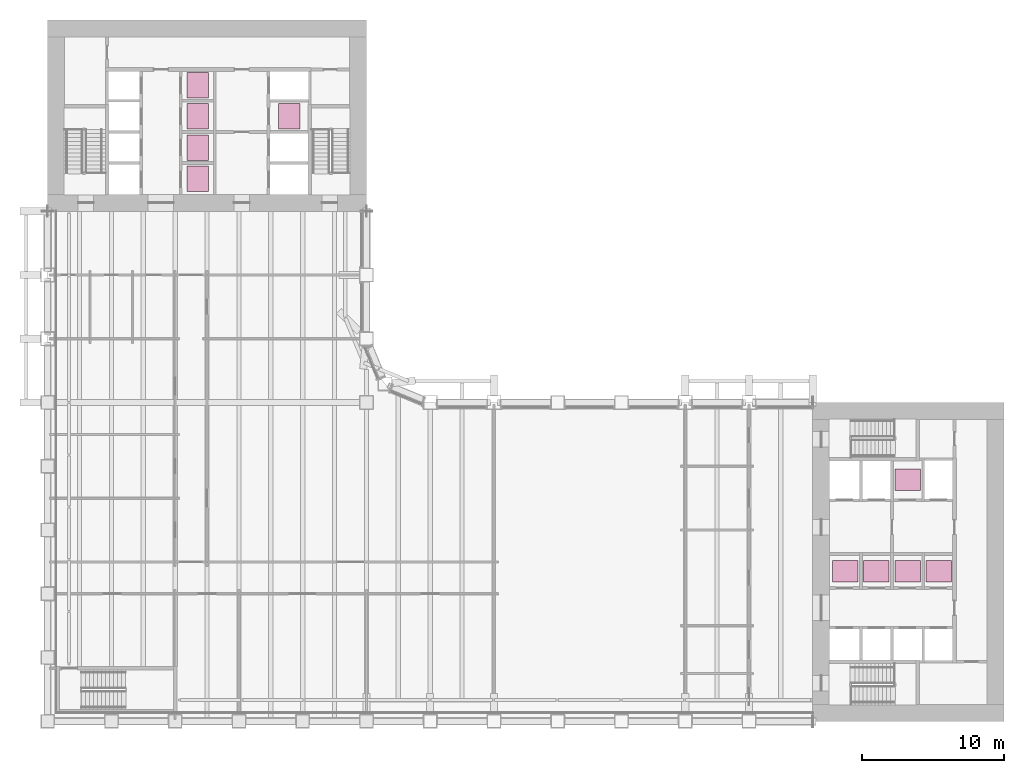
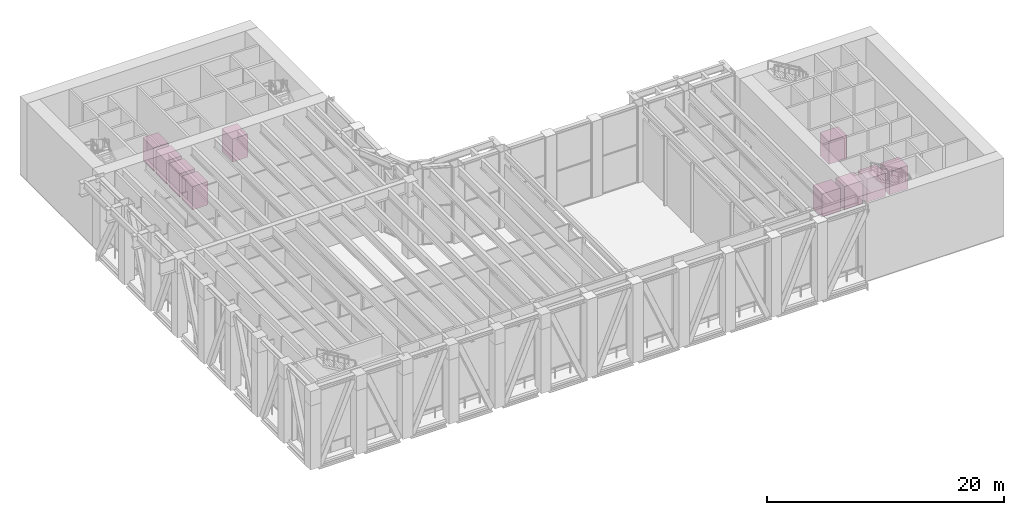
# One storey, part 21 of 21: 10 transport elements.
"""IFC4 building model written with IfcOpenShell, lengths in metres."""

import ifcopenshell
import ifcopenshell.guid

model = None  # the IFC model being written
_history = None  # IfcOwnerHistory: only IFC2X3 demands one
_inside = {}  # id of a spatial element -> (the spatial element, [elements in it])
_under = {}  # id of a project, library or spatial element -> (it, [spatial elements below it])
_declared = {}  # id of a project -> (the project, [libraries it declares])
_typed = {}  # id of a type object -> (the type object, [elements of that type])
_made_of = {}  # id of a material, layer set ... -> (it, [elements and type objects made of it])


def new_model(schema):
    """Start an empty IFC model of exactly this schema.

    Asked for "IFC4X3", IfcOpenShell would pick the latest addendum, in which some entities
    have other attributes; the version numbers below select the first issue.
    IFC2X3 requires an IfcOwnerHistory on every rooted entity: one is made here for all.
    """
    global model, _history
    if schema == "IFC4X3":
        model = ifcopenshell.file(schema_version=(4, 3, 0, 0))
    else:
        model = ifcopenshell.file(schema=schema)
    _inside.clear()
    _under.clear()
    _declared.clear()
    _typed.clear()
    _made_of.clear()
    _history = None
    if model.schema == "IFC2X3":
        org = make("IfcOrganization", Name="unknown")
        user = make(
            "IfcPersonAndOrganization",
            ThePerson=make("IfcPerson", FamilyName="unknown"),
            TheOrganization=org,
        )
        app = make(
            "IfcApplication",
            ApplicationDeveloper=org,
            Version="unknown",
            ApplicationFullName="unknown",
            ApplicationIdentifier="unknown",
        )
        _history = make(
            "IfcOwnerHistory",
            OwningUser=user,
            OwningApplication=app,
            ChangeAction="ADDED",
            CreationDate=0,
        )
    return model


def make(cls, **values):
    """One entity of the class cls with the attributes given. An attribute that is None is left unset."""
    return model.create_entity(
        cls, **{name: value for name, value in values.items() if value is not None}
    )


def rooted(cls, **values):
    """An entity with a GlobalId (a new one), such as an element, a storey or a relation."""
    return make(cls, GlobalId=ifcopenshell.guid.new(), OwnerHistory=_history, **values)


def si_unit(unit_type, name, prefix=None):
    """IfcSIUnit, for example si_unit("LENGTHUNIT", "METRE", prefix="MILLI")."""
    return make("IfcSIUnit", UnitType=unit_type, Prefix=prefix, Name=name)


def assignment(units):
    """IfcUnitAssignment: the units of a project."""
    return None if units is None else make("IfcUnitAssignment", Units=units)


def point(xyz):
    """IfcCartesianPoint."""
    return None if xyz is None else make("IfcCartesianPoint", Coordinates=xyz)


def direction(xyz):
    """IfcDirection."""
    return None if xyz is None else make("IfcDirection", DirectionRatios=xyz)


def frame(location, z_axis=None, x_axis=None):
    """IfcAxis2Placement3D, a coordinate frame: its origin and axes. An axis left out is left unset."""
    return make(
        "IfcAxis2Placement3D",
        Location=point(location),
        Axis=direction(z_axis),
        RefDirection=direction(x_axis),
    )


def frame_2d(location, x_axis=None):
    """IfcAxis2Placement2D, a coordinate frame in the plane: its origin and x axis."""
    return make(
        "IfcAxis2Placement2D", Location=point(location), RefDirection=direction(x_axis)
    )


def origin():
    """The frame at (0, 0, 0) with its axes left unset."""
    return frame((0.0, 0.0, 0.0))


def origin_2d():
    """The frame at (0, 0) in the plane with its x axis left unset."""
    return frame_2d((0.0, 0.0))


def place(relative_to, where):
    """IfcLocalPlacement: puts the frame where relative to a parent placement (None: the world)."""
    return make(
        "IfcLocalPlacement", PlacementRelTo=relative_to, RelativePlacement=where
    )


def context(
    kind, dimensions, precision=None, world=None, true_north=None, identifier=None
):
    """IfcGeometricRepresentationContext, for example the 3D "Model" context."""
    return make(
        "IfcGeometricRepresentationContext",
        ContextIdentifier=identifier,
        ContextType=kind,
        CoordinateSpaceDimension=dimensions,
        Precision=precision,
        WorldCoordinateSystem=world,
        TrueNorth=true_north,
    )


def subcontext(parent, identifier, kind, view, scale=None):
    """IfcGeometricRepresentationSubContext, for example "Body" below "Model"."""
    return make(
        "IfcGeometricRepresentationSubContext",
        ContextIdentifier=identifier,
        ContextType=kind,
        ParentContext=parent,
        TargetScale=scale,
        TargetView=view,
    )


def project(units=None, contexts=None):
    """IfcProject with its units and contexts."""
    return rooted(
        "IfcProject",
        Name="project",
        RepresentationContexts=contexts,
        UnitsInContext=assignment(units),
    )


def spatial(cls, under=None, at=None, **own):
    """A site, building, storey or space (cls), placed at a placement, below another one or the project."""
    s = rooted(cls, ObjectPlacement=at, **own)
    if under is not None:
        _under.setdefault(under.id(), (under, []))[1].append(s)
    return s


def profile(cls, at=None, kind="AREA", **sizes):
    """A parametric profile (cls). Its sizes go by their IFC names, for example OverallWidth=200.0."""
    return make(cls, ProfileType=kind, Position=at, **sizes)


def rectangle(**sizes):
    """IfcRectangleProfileDef."""
    return profile("IfcRectangleProfileDef", **sizes)


def extrude(swept, where, along, depth):
    """IfcExtrudedAreaSolid: the profile swept, set in the frame where, extruded along a direction by depth."""
    return make(
        "IfcExtrudedAreaSolid",
        SweptArea=swept,
        Position=where,
        ExtrudedDirection=direction(along),
        Depth=depth,
    )


def shape(context_of_items, identifier, shape_type, items):
    """IfcShapeRepresentation: the items that make up one representation, for example the "Body"."""
    return make(
        "IfcShapeRepresentation",
        ContextOfItems=context_of_items,
        RepresentationIdentifier=identifier,
        RepresentationType=shape_type,
        Items=items,
    )


def material(Name=None, Category=None):
    """IfcMaterial."""
    return make("IfcMaterial", Name=Name, Category=Category)


def made_of(thing, what):
    """Note that an element or type object is made of a material, layer set ...; save() writes the relation."""
    if what is not None:
        _made_of.setdefault(what.id(), (what, []))[1].append(thing)
    return thing


def type_object(cls, material=None, **own):
    """A type object (cls), such as IfcWallType, which elements share."""
    return made_of(rooted(cls, **own), material)


def element(
    cls,
    number,
    at=None,
    inside=None,
    cuts=None,
    type_object=None,
    material=None,
    context=None,
    identifier="Body",
    shape_type=None,
    held_by="IfcProductDefinitionShape",
    body=None,
    shapes=None,
    **own,
):
    """One element of the class cls, such as IfcWall. Its Tag is "e" and its number.

    at: its placement. inside: the storey or other place that contains it. cuts: it is an
    opening in that element (IfcRelVoidsElement). A single representation is given by context,
    identifier, shape_type and body (its items); several are given by shapes. held_by: the class
    of the entity that holds the representations. save() writes the other relations.
    """
    e = rooted(cls, Tag="e%d" % number, ObjectPlacement=at, **own)
    if body is not None:
        shapes = [shape(context, identifier, shape_type, body)]
    if shapes is not None:
        e.Representation = make(held_by, Representations=shapes)
    if inside is not None:
        _inside.setdefault(inside.id(), (inside, []))[1].append(e)
    if cuts is not None:
        rooted(
            "IfcRelVoidsElement", RelatingBuildingElement=cuts, RelatedOpeningElement=e
        )
    if type_object is not None:
        _typed.setdefault(type_object.id(), (type_object, []))[1].append(e)
    return made_of(e, material)


def aggregate(whole, parts):
    """IfcRelAggregates: a whole, such as a stair, and the parts it consists of."""
    return rooted("IfcRelAggregates", RelatingObject=whole, RelatedObjects=parts)


def save(model, path):
    """Write the relations noted so far, then the file.

    IfcRelAggregates (storeys below a building ...), IfcRelContainedInSpatialStructure (elements
    in a storey), IfcRelDefinesByType, IfcRelAssociatesMaterial and IfcRelDeclares: one each for
    every whole, place, type object, material and project.
    """
    for whole, parts in _under.values():
        aggregate(whole, parts)
    for where, things in _inside.values():
        rooted(
            "IfcRelContainedInSpatialStructure",
            RelatedElements=things,
            RelatingStructure=where,
        )
    for kind, things in _typed.values():
        rooted("IfcRelDefinesByType", RelatedObjects=things, RelatingType=kind)
    for what, things in _made_of.values():
        rooted("IfcRelAssociatesMaterial", RelatedObjects=things, RelatingMaterial=what)
    for by, libraries in _declared.values():
        rooted("IfcRelDeclares", RelatingContext=by, RelatedDefinitions=libraries)
    model.write(path)


model = new_model("IFC4")

# Units and contexts
model_context = context("Model", 3, precision=1e-05, world=origin(), true_north=direction((0.0, 1.0)))
body_context = subcontext(model_context, "Body", "Model", "MODEL_VIEW")
ifc_project = project(units=[si_unit("LENGTHUNIT", "METRE"), si_unit("AREAUNIT", "SQUARE_METRE"), si_unit("VOLUMEUNIT", "CUBIC_METRE"), si_unit("PLANEANGLEUNIT", "RADIAN"), si_unit("MASSUNIT", "GRAM", prefix="KILO")], contexts=[model_context])

# Site, building, storey
site_placement = place(None, origin())
site = spatial("IfcSite", under=ifc_project, at=site_placement, CompositionType="ELEMENT")
building_placement = place(site_placement, origin())
building = spatial("IfcBuilding", under=site, at=building_placement, Name="Sennacour Bend Tower", CompositionType="ELEMENT")
storey_placement = place(building_placement, frame((0.0, 0.0, 131.0)))
storey = spatial("IfcBuildingStorey", under=building, at=storey_placement, Name="L30", CompositionType="ELEMENT", Elevation=131.0)

# Transport elements
ifc_material = material(Name="Stainless steel", Category="steel")
transport_element_type_1 = type_object("IfcTransportElementType", Name="LIFT-HA1", PredefinedType="ELEVATOR", material=ifc_material)
transport_element_1_placement = place(storey_placement, frame((56.300048828125, 10.60009765625, 0.0), z_axis=(0.0, 0.0, 1.0), x_axis=(1.0, 0.0, 0.0)))
element("IfcTransportElement", 1, at=transport_element_1_placement, inside=storey, type_object=transport_element_type_1, Name="High-rise passenger lift HA1", PredefinedType="ELEVATOR", context=body_context, shape_type="SweptSolid", body=[
    extrude(rectangle(XDim=1.800048828125, YDim=1.5, at=origin_2d()), origin(), (0.0, 0.0, 1.0), 2.39990234375),
])
transport_element_type_2 = type_object("IfcTransportElementType", Name="LIFT-HA2", PredefinedType="ELEVATOR", material=ifc_material)
transport_element_2_placement = place(storey_placement, frame((58.5, 10.60009765625, 0.0), z_axis=(0.0, 0.0, 1.0), x_axis=(1.0, 0.0, 0.0)))
element("IfcTransportElement", 2, at=transport_element_2_placement, inside=storey, type_object=transport_element_type_2, Name="High-rise passenger lift HA2", PredefinedType="ELEVATOR", context=body_context, shape_type="SweptSolid", body=[
    extrude(rectangle(XDim=1.800048828125, YDim=1.5, at=origin_2d()), origin(), (0.0, 0.0, 1.0), 2.39990234375),
])
transport_element_type_3 = type_object("IfcTransportElementType", Name="LIFT-HA3", PredefinedType="ELEVATOR", material=ifc_material)
transport_element_3_placement = place(storey_placement, frame((60.699951171875, 10.60009765625, 0.0), z_axis=(0.0, 0.0, 1.0), x_axis=(1.0, 0.0, 0.0)))
element("IfcTransportElement", 3, at=transport_element_3_placement, inside=storey, type_object=transport_element_type_3, Name="High-rise passenger lift HA3", PredefinedType="ELEVATOR", context=body_context, shape_type="SweptSolid", body=[
    extrude(rectangle(XDim=1.800048828125, YDim=1.5, at=origin_2d()), origin(), (0.0, 0.0, 1.0), 2.39990234375),
])
transport_element_type_4 = type_object("IfcTransportElementType", Name="LIFT-HA4", PredefinedType="ELEVATOR", material=ifc_material)
transport_element_4_placement = place(storey_placement, frame((62.89990234375, 10.60009765625, 0.0), z_axis=(0.0, 0.0, 1.0), x_axis=(1.0, 0.0, 0.0)))
element("IfcTransportElement", 4, at=transport_element_4_placement, inside=storey, type_object=transport_element_type_4, Name="High-rise passenger lift HA4", PredefinedType="ELEVATOR", context=body_context, shape_type="SweptSolid", body=[
    extrude(rectangle(XDim=1.800048828125, YDim=1.5, at=origin_2d()), origin(), (0.0, 0.0, 1.0), 2.39990234375),
])
transport_element_type_5 = type_object("IfcTransportElementType", Name="LIFT-HA5", PredefinedType="ELEVATOR", material=ifc_material)
transport_element_5_placement = place(storey_placement, frame((60.699951171875, 17.050048828125, 0.0), z_axis=(0.0, 0.0, 1.0), x_axis=(1.0, 0.0, 0.0)))
element("IfcTransportElement", 5, at=transport_element_5_placement, inside=storey, type_object=transport_element_type_5, Name="High-rise passenger lift HA5", PredefinedType="ELEVATOR", context=body_context, shape_type="SweptSolid", body=[
    extrude(rectangle(XDim=1.800048828125, YDim=1.5, at=origin_2d()), origin(), (0.0, 0.0, 1.0), 2.39990234375),
])
transport_element_type_6 = type_object("IfcTransportElementType", Name="LIFT-MB1", PredefinedType="ELEVATOR", material=ifc_material)
transport_element_6_placement = place(storey_placement, frame((10.60009765625, 38.300048828125, 0.0), z_axis=(0.0, 0.0, 1.0), x_axis=(1.0, 0.0, 0.0)))
element("IfcTransportElement", 6, at=transport_element_6_placement, inside=storey, type_object=transport_element_type_6, Name="Mid-rise passenger lift MB1", PredefinedType="ELEVATOR", context=body_context, shape_type="SweptSolid", body=[
    extrude(rectangle(XDim=1.5, YDim=1.800048828125, at=origin_2d()), origin(), (0.0, 0.0, 1.0), 2.39990234375),
])
transport_element_type_7 = type_object("IfcTransportElementType", Name="LIFT-MB2", PredefinedType="ELEVATOR", material=ifc_material)
transport_element_7_placement = place(storey_placement, frame((10.60009765625, 40.5, 0.0), z_axis=(0.0, 0.0, 1.0), x_axis=(1.0, 0.0, 0.0)))
element("IfcTransportElement", 7, at=transport_element_7_placement, inside=storey, type_object=transport_element_type_7, Name="Mid-rise passenger lift MB2", PredefinedType="ELEVATOR", context=body_context, shape_type="SweptSolid", body=[
    extrude(rectangle(XDim=1.5, YDim=1.800048828125, at=origin_2d()), origin(), (0.0, 0.0, 1.0), 2.39990234375),
])
transport_element_type_8 = type_object("IfcTransportElementType", Name="LIFT-MB3", PredefinedType="ELEVATOR", material=ifc_material)
transport_element_8_placement = place(storey_placement, frame((10.60009765625, 42.699951171875, 0.0), z_axis=(0.0, 0.0, 1.0), x_axis=(1.0, 0.0, 0.0)))
element("IfcTransportElement", 8, at=transport_element_8_placement, inside=storey, type_object=transport_element_type_8, Name="Mid-rise passenger lift MB3", PredefinedType="ELEVATOR", context=body_context, shape_type="SweptSolid", body=[
    extrude(rectangle(XDim=1.5, YDim=1.800048828125, at=origin_2d()), origin(), (0.0, 0.0, 1.0), 2.39990234375),
])
transport_element_type_9 = type_object("IfcTransportElementType", Name="LIFT-MB4", PredefinedType="ELEVATOR", material=ifc_material)
transport_element_9_placement = place(storey_placement, frame((10.60009765625, 44.89990234375, 0.0), z_axis=(0.0, 0.0, 1.0), x_axis=(1.0, 0.0, 0.0)))
element("IfcTransportElement", 9, at=transport_element_9_placement, inside=storey, type_object=transport_element_type_9, Name="Mid-rise passenger lift MB4", PredefinedType="ELEVATOR", context=body_context, shape_type="SweptSolid", body=[
    extrude(rectangle(XDim=1.5, YDim=1.800048828125, at=origin_2d()), origin(), (0.0, 0.0, 1.0), 2.39990234375),
])
transport_element_type_10 = type_object("IfcTransportElementType", Name="LIFT-MB5", PredefinedType="ELEVATOR", material=ifc_material)
transport_element_10_placement = place(storey_placement, frame((17.050048828125, 42.699951171875, 0.0), z_axis=(0.0, 0.0, 1.0), x_axis=(1.0, 0.0, 0.0)))
element("IfcTransportElement", 10, at=transport_element_10_placement, inside=storey, type_object=transport_element_type_10, Name="Mid-rise passenger lift MB5", PredefinedType="ELEVATOR", context=body_context, shape_type="SweptSolid", body=[
    extrude(rectangle(XDim=1.5, YDim=1.800048828125, at=origin_2d()), origin(), (0.0, 0.0, 1.0), 2.39990234375),
])

save(model, "model.ifc")
